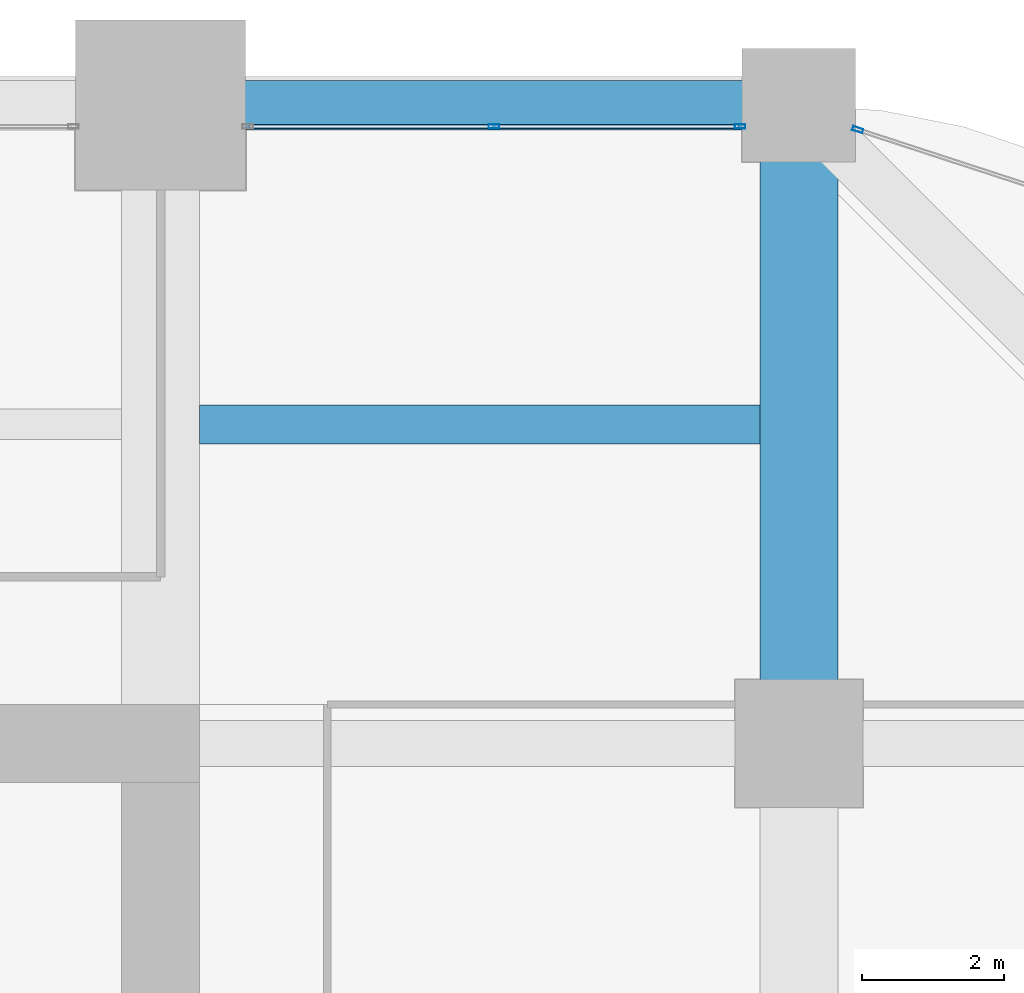
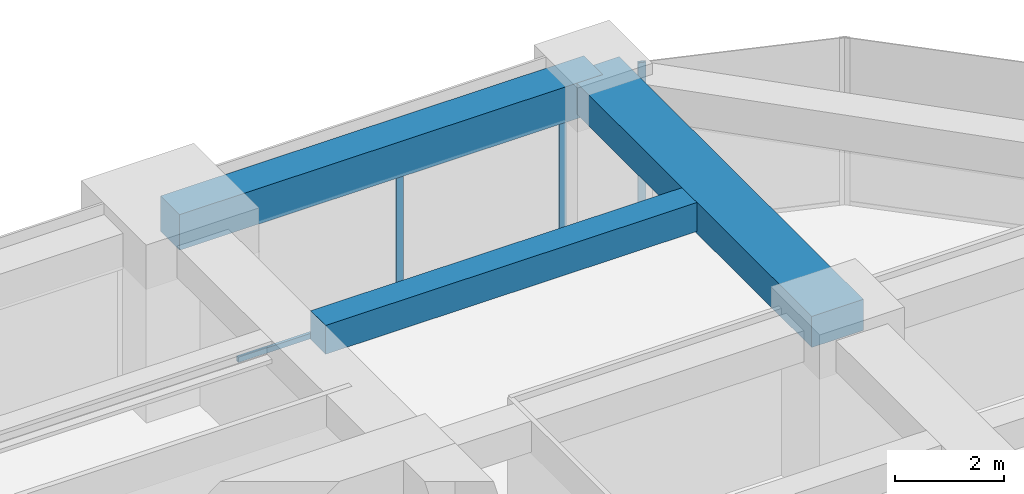
# One storey, part 33 of 39: 4 members, 3 beams, 2 elements without a shape of their own.
"""IFC4 building model written with IfcOpenShell, lengths in metres."""

from ifc_helpers import new_model, si_unit, direction, frame, origin, origin_2d, place, context, subcontext, project, spatial, rectangle, hollow_rectangle, extrude, material, material_profile, profile_set, type_object, element, aggregate, save


model = new_model("IFC4")

# Units and contexts
model_context = context("Model", 3, precision=1e-05, world=origin(), true_north=direction((0.0, 1.0)))
body_context = subcontext(model_context, "Body", "Model", "MODEL_VIEW")
ifc_project = project(units=[si_unit("LENGTHUNIT", "METRE"), si_unit("AREAUNIT", "SQUARE_METRE"), si_unit("VOLUMEUNIT", "CUBIC_METRE"), si_unit("PLANEANGLEUNIT", "RADIAN"), si_unit("MASSUNIT", "GRAM", prefix="KILO")], contexts=[model_context])

# Site, building, storey
site_placement = place(None, origin())
site = spatial("IfcSite", under=ifc_project, at=site_placement, CompositionType="ELEMENT")
building_placement = place(site_placement, origin())
building = spatial("IfcBuilding", under=site, at=building_placement, Name="Zorevar Civic Tower", CompositionType="ELEMENT")
storey_placement = place(building_placement, frame((0.0, 0.0, 125.0)))
storey = spatial("IfcBuildingStorey", under=building, at=storey_placement, Name="L30", CompositionType="ELEMENT", Elevation=125.0)

# Beams
ifc_material_1 = material(Name="Concrete C50/60", Category="concrete")
ifc_material_profile_1 = material_profile(ifc_material_1, rectangle(XDim=1.10009765625, YDim=0.699951171875, at=origin_2d()), Name="RC 1100x700")
ifc_profile_set_1 = profile_set([ifc_material_profile_1], Name="Concrete C50/60")
beam_type_1 = type_object("IfcBeamType", Name="Beam RC 1100x700", PredefinedType="BEAM", material=ifc_profile_set_1)
beam_1_placement = place(storey_placement, frame((54.0, 36.0, 3.39990234375), z_axis=(0.0, 1.0, 0.0), x_axis=(-1.0, 0.0, 0.0)))
element("IfcBeam", 1, at=beam_1_placement, inside=storey, type_object=beam_type_1, Name="Girder L31", PredefinedType="BEAM", context=body_context, shape_type="SweptSolid", body=[
    extrude(rectangle(XDim=1.10009765625, YDim=0.699951171875, at=origin_2d()), origin(), (0.0, 0.0, 1.0), 9.0),
])
ifc_material_2 = material(Name="Concrete C50/60", Category="concrete")
ifc_material_profile_2 = material_profile(ifc_material_2, rectangle(XDim=0.550048828125, YDim=0.64990234375, at=origin_2d()), Name="RC 550x650")
ifc_profile_set_2 = profile_set([ifc_material_profile_2], Name="Concrete C50/60")
beam_type_2 = type_object("IfcBeamType", Name="Beam RC 550x650", PredefinedType="BEAM", material=ifc_profile_set_2)
beam_2_placement = place(storey_placement, frame((45.550048828125, 40.5, 3.425048828125), z_axis=(1.0, 0.0, 0.0), x_axis=(0.0, 1.0, 0.0)))
element("IfcBeam", 2, at=beam_2_placement, inside=storey, type_object=beam_type_2, Name="Secondary beam L31", PredefinedType="BEAM", context=body_context, shape_type="SweptSolid", body=[
    extrude(rectangle(XDim=0.550048828125, YDim=0.64990234375, at=origin_2d()), origin(), (0.0, 0.0, 1.0), 7.89990234375),
])

# Curtain wall, members
ifc_material_3 = material(Name="Dark grey solar-control glass in black aluminium frame", Category="aluminium")
curtain_wall_type = type_object("IfcCurtainWallType", Name="Curtain wall CW3 mid zone", PredefinedType="NOTDEFINED", material=ifc_material_3)
curtain_wall_1_placement = place(storey_placement, origin())
curtain_wall_1 = element("IfcCurtainWall", 3, at=curtain_wall_1_placement, inside=storey, type_object=curtain_wall_type, Name="CW3 L30", PredefinedType="NOTDEFINED")
ifc_material_4 = material(Name="Aluminium, black anodised", Category="aluminium")
ifc_material_profile_3 = material_profile(ifc_material_4, hollow_rectangle(XDim=0.06005859375, YDim=0.14990234375, WallThickness=0.00390625, at=origin_2d()), Name="AL 150x60x4")
ifc_profile_set_3 = profile_set([ifc_material_profile_3], Name="Aluminium, black anodised")
member_type_1 = type_object("IfcMemberType", Name="CW3 mullion AL 150x60x4", PredefinedType="MULLION", material=ifc_profile_set_3)
member_1_placement = place(storey_placement, frame((49.699951171875, 44.699951171875, 0.06005859375), z_axis=(0.0, 0.0, 1.0), x_axis=(0.0, 1.0, 0.0)))
member_1 = element("IfcMember", 4, at=member_1_placement, type_object=member_type_1, Name="CW3 mullion 2", PredefinedType="MULLION", context=body_context, shape_type="SweptSolid", body=[
    extrude(hollow_rectangle(XDim=0.06005859375, YDim=0.14990234375, WallThickness=0.00390625, at=origin_2d()), origin(), (0.0, 0.0, 1.0), 2.889892578125),
])
member_2_placement = place(storey_placement, frame((53.169921875, 44.699951171875, 0.0), z_axis=(0.0, 0.0, 1.0), x_axis=(0.0, 1.0, 0.0)))
member_2 = element("IfcMember", 5, at=member_2_placement, type_object=member_type_1, Name="CW3 mullion 3", PredefinedType="MULLION", context=body_context, shape_type="SweptSolid", body=[
    extrude(hollow_rectangle(XDim=0.06005859375, YDim=0.14990234375, WallThickness=0.00390625, at=origin_2d()), origin(), (0.0, 0.0, 1.0), 2.949951171875),
])

# Curtain wall, member
curtain_wall_2_placement = place(storey_placement, origin())
curtain_wall_2 = element("IfcCurtainWall", 6, at=curtain_wall_2_placement, inside=storey, type_object=curtain_wall_type, Name="CW3 L30", PredefinedType="NOTDEFINED")
member_3_placement = place(storey_placement, frame((54.82861328125, 44.65380859375, 0.0), z_axis=(0.0, 0.0, 1.0), x_axis=(-0.310263169163, -0.950650706548, 0.0)))
member_3 = element("IfcMember", 7, at=member_3_placement, type_object=member_type_1, Name="CW3 mullion 2", PredefinedType="MULLION", context=body_context, shape_type="SweptSolid", body=[
    extrude(hollow_rectangle(XDim=0.06005859375, YDim=0.14990234375, WallThickness=0.00390625, at=origin_2d()), origin(), (0.0, 0.0, 1.0), 3.75),
])
aggregate(curtain_wall_2, [member_3])

# Member
ifc_material_5 = material(Name="Aluminium, black anodised", Category="aluminium")
ifc_material_profile_4 = material_profile(ifc_material_5, hollow_rectangle(XDim=0.06005859375, YDim=0.1201171875, WallThickness=0.0029296875, at=origin_2d()), Name="AL 120x60x3")
ifc_profile_set_4 = profile_set([ifc_material_profile_4], Name="Aluminium, black anodised")
member_type_2 = type_object("IfcMemberType", Name="CW3 transom AL 120x60x3", PredefinedType="USERDEFINED", material=ifc_profile_set_4)
member_4_placement = place(storey_placement, frame((46.260009765625, 44.699951171875, 0.030029296875), z_axis=(1.0, 0.0, 0.0), x_axis=(0.0, 1.0, 0.0)))
member_4 = element("IfcMember", 8, at=member_4_placement, type_object=member_type_2, Name="CW3 sill transom", ObjectType="TRANSOM", PredefinedType="USERDEFINED", context=body_context, shape_type="SweptSolid", body=[
    extrude(hollow_rectangle(XDim=0.06005859375, YDim=0.1201171875, WallThickness=0.0029296875, at=origin_2d()), origin(), (0.0, 0.0, 1.0), 6.8798828125),
])

aggregate(curtain_wall_1, [member_1, member_2, member_4])

# Beam
ifc_material_6 = material(Name="Concrete C50/60", Category="concrete")
ifc_material_profile_5 = material_profile(ifc_material_6, rectangle(XDim=0.699951171875, YDim=0.800048828125, at=origin_2d()), Name="RC 700x800")
ifc_profile_set_5 = profile_set([ifc_material_profile_5], Name="Concrete C50/60")
beam_type_3 = type_object("IfcBeamType", Name="Edge beam RC 700x800", PredefinedType="SPANDREL", material=ifc_profile_set_5)
beam_3_placement = place(storey_placement, frame((45.0, 45.0, 3.35009765625), z_axis=(1.0, 0.0, 0.0), x_axis=(0.0, 1.0, 0.0)))
element("IfcBeam", 9, at=beam_3_placement, inside=storey, type_object=beam_type_3, Name="Edge beam L31", PredefinedType="SPANDREL", context=body_context, shape_type="SweptSolid", body=[
    extrude(rectangle(XDim=0.699951171875, YDim=0.800048828125, at=origin_2d()), origin(), (0.0, 0.0, 1.0), 9.0),
])

save(model, "model.ifc")
